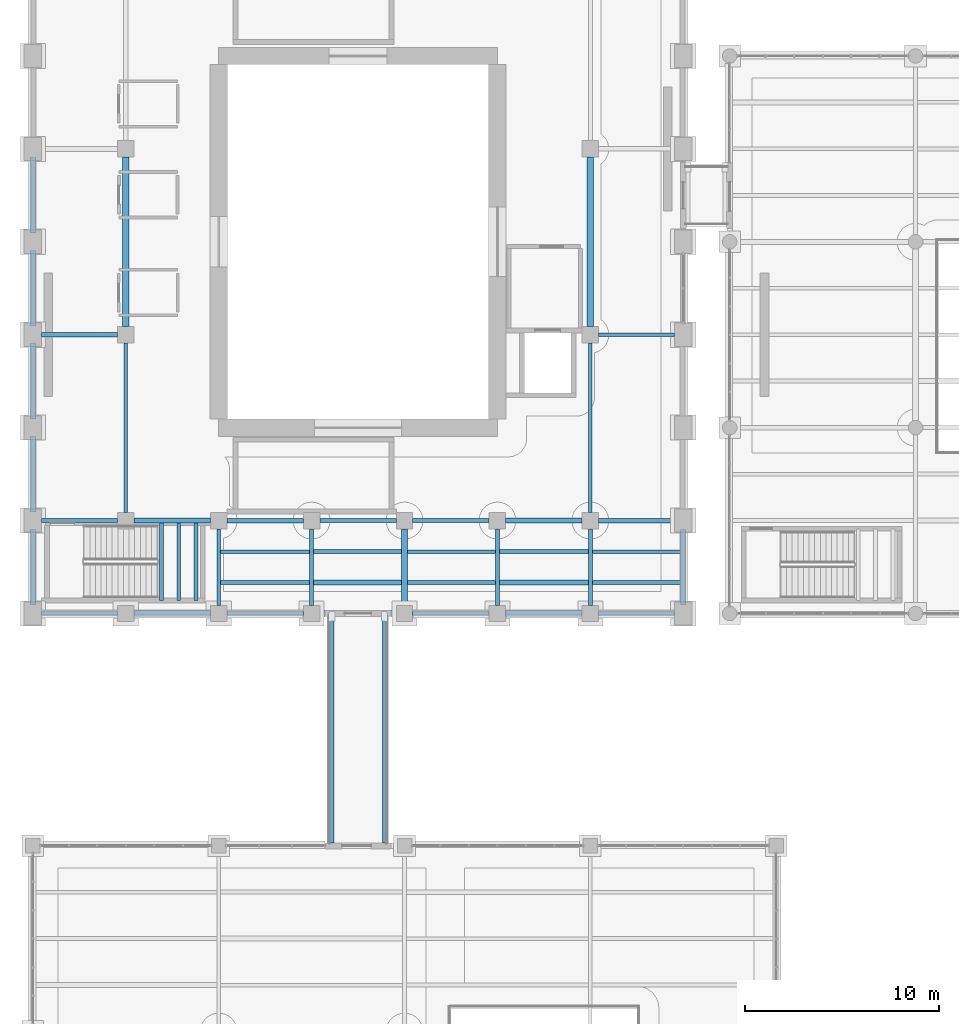
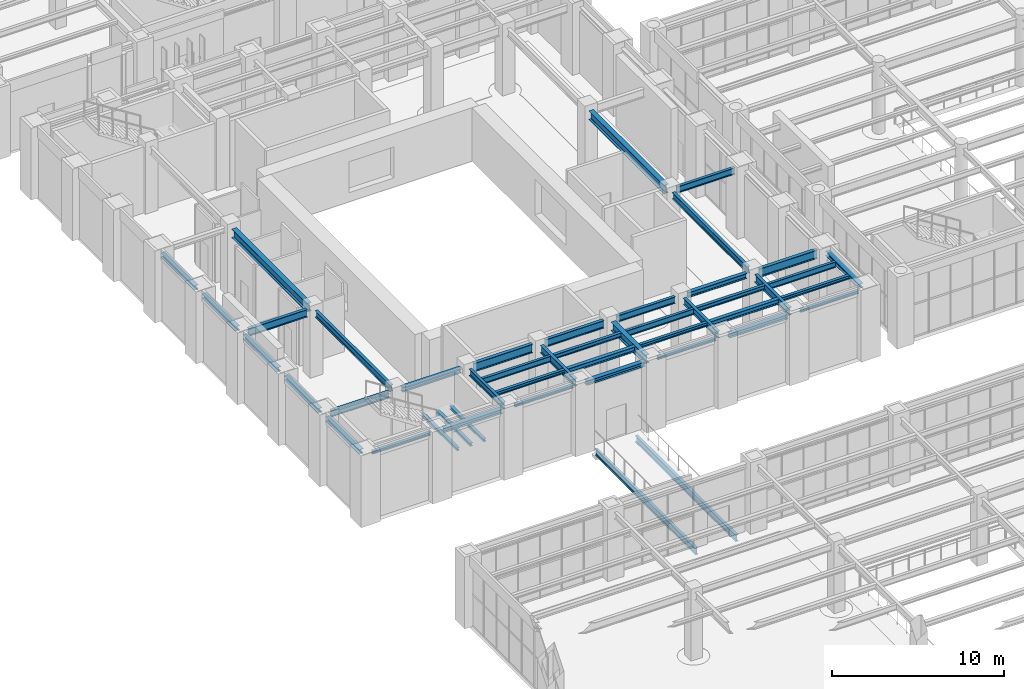
# One storey, part 30 of 174: 46 beams.
"""IFC4 building model written with IfcOpenShell, lengths in metres."""

from ifc_helpers import new_model, si_unit, direction, frame, origin, origin_2d, place, context, subcontext, project, spatial, i_section, extrude, material, material_profile, profile_set, type_object, element, save


model = new_model("IFC4")

# Units and contexts
model_context = context("Model", 3, precision=1e-05, world=origin(), true_north=direction((0.0, 1.0)))
body_context = subcontext(model_context, "Body", "Model", "MODEL_VIEW")
ifc_project = project(units=[si_unit("LENGTHUNIT", "METRE"), si_unit("AREAUNIT", "SQUARE_METRE"), si_unit("VOLUMEUNIT", "CUBIC_METRE"), si_unit("PLANEANGLEUNIT", "RADIAN"), si_unit("MASSUNIT", "GRAM", prefix="KILO")], contexts=[model_context])

# Site, building, storey
site_placement = place(None, origin())
site = spatial("IfcSite", under=ifc_project, at=site_placement, CompositionType="ELEMENT")
building_placement = place(site_placement, origin())
building = spatial("IfcBuilding", under=site, at=building_placement, Name="Mavantir Sound Aquarium", CompositionType="ELEMENT")
storey_placement = place(building_placement, frame((0.0, 0.0, 5.39990234375)))
storey = spatial("IfcBuildingStorey", under=building, at=storey_placement, Name="L01", CompositionType="ELEMENT", Elevation=5.39990234375)

# Beams
ifc_material = material(Name="Structural Steel ASTM A992 Gr50", Category="steel")
ifc_material_profile_1 = material_profile(ifc_material, i_section(OverallWidth=0.202880859375, OverallDepth=0.202880859375, WebThickness=0.007080078125, FlangeThickness=0.010986328125, FilletRadius=0.010009765625, at=origin_2d()), Name="W200X46")
ifc_profile_set_1 = profile_set([ifc_material_profile_1], Name="Structural Steel ASTM A992 Gr50")
beam_type_1 = type_object("IfcBeamType", Name="BM-W200X46-E", PredefinedType="LINTEL", material=ifc_profile_set_1)
beam_1_placement = place(storey_placement, frame((0.449951171875, 40.800048828125, 4.594482421875), z_axis=(1.0, 0.0, 0.0), x_axis=(0.0, 1.0, 0.0)))
element("IfcBeam", 1, at=beam_1_placement, inside=storey, type_object=beam_type_1, Name="L01 primary beam SL-20 1120", PredefinedType="LINTEL", context=body_context, shape_type="SweptSolid", body=[
    extrude(i_section(OverallWidth=0.202880859375, OverallDepth=0.202880859375, WebThickness=0.007080078125, FlangeThickness=0.010986328125, FilletRadius=0.010009765625, at=origin_2d()), origin(), (0.0, 0.0, 1.0), 3.925048828125),
])
beam_2_placement = place(storey_placement, frame((10.02490234375, 40.800048828125, 4.594482421875), z_axis=(1.0, 0.0, 0.0), x_axis=(0.0, 1.0, 0.0)))
element("IfcBeam", 2, at=beam_2_placement, inside=storey, type_object=beam_type_1, Name="L01 primary beam SL-20 1122", PredefinedType="LINTEL", context=body_context, shape_type="SweptSolid", body=[
    extrude(i_section(OverallWidth=0.202880859375, OverallDepth=0.202880859375, WebThickness=0.007080078125, FlangeThickness=0.010986328125, FilletRadius=0.010009765625, at=origin_2d()), origin(), (0.0, 0.0, 1.0), 3.9501953125),
])
beam_3_placement = place(storey_placement, frame((19.625, 40.800048828125, 4.594482421875), z_axis=(1.0, 0.0, 0.0), x_axis=(0.0, 1.0, 0.0)))
element("IfcBeam", 3, at=beam_3_placement, inside=storey, type_object=beam_type_1, Name="L01 primary beam SL-20 1124", PredefinedType="LINTEL", context=body_context, shape_type="SweptSolid", body=[
    extrude(i_section(OverallWidth=0.202880859375, OverallDepth=0.202880859375, WebThickness=0.007080078125, FlangeThickness=0.010986328125, FilletRadius=0.010009765625, at=origin_2d()), origin(), (0.0, 0.0, 1.0), 3.949951171875),
])
beam_4_placement = place(storey_placement, frame((29.22509765625, 40.800048828125, 4.594482421875), z_axis=(1.0, 0.0, 0.0), x_axis=(0.0, 1.0, 0.0)))
element("IfcBeam", 4, at=beam_4_placement, inside=storey, type_object=beam_type_1, Name="L01 primary beam SL-20 1126", PredefinedType="LINTEL", context=body_context, shape_type="SweptSolid", body=[
    extrude(i_section(OverallWidth=0.202880859375, OverallDepth=0.202880859375, WebThickness=0.007080078125, FlangeThickness=0.010986328125, FilletRadius=0.010009765625, at=origin_2d()), origin(), (0.0, 0.0, 1.0), 3.9248046875),
])
ifc_material_profile_2 = material_profile(ifc_material, i_section(OverallWidth=0.202880859375, OverallDepth=0.202880859375, WebThickness=0.007080078125, FlangeThickness=0.010986328125, FilletRadius=0.010009765625, at=origin_2d()), Name="W200X46")
ifc_profile_set_2 = profile_set([ifc_material_profile_2], Name="Structural Steel ASTM A992 Gr50")
beam_type_2 = type_object("IfcBeamType", Name="BM-W200X46-I", PredefinedType="LINTEL", material=ifc_profile_set_2)
for number, where, z_axis, x_axis, name in (
    (5, (6.639892578125, 41.47509765625, 2.24560546875), (0.0, 1.0, 0.0), (-1.0, 0.0, 0.0), "Stair ST1 landing support beam 10"),
    (6, (7.534912109375, 41.47509765625, 2.24560546875), (0.0, 1.0, 0.0), (-1.0, 0.0, 0.0), "Stair ST1 landing support beam 11"),
    (7, (8.429931640625, 41.47509765625, 2.24560546875), (0.0, 1.0, 0.0), (-1.0, 0.0, 0.0), "Stair ST1 landing support beam 12"),
):
    element("IfcBeam", number, at=place(storey_placement, frame(where, z_axis=z_axis, x_axis=x_axis)), inside=storey, type_object=beam_type_2, Name=name, PredefinedType="LINTEL", context=body_context, shape_type="SweptSolid", body=[
        extrude(i_section(OverallWidth=0.202880859375, OverallDepth=0.202880859375, WebThickness=0.007080078125, FlangeThickness=0.010986328125, FilletRadius=0.010009765625, at=origin_2d()), origin(), (0.0, 0.0, 1.0), 4.0),
    ])
ifc_material_profile_3 = material_profile(ifc_material, i_section(OverallWidth=0.202880859375, OverallDepth=0.251953125, WebThickness=0.008056640625, FlangeThickness=0.013427734375, FilletRadius=0.011962890625, at=origin_2d()), Name="W250X58")
ifc_profile_set_3 = profile_set([ifc_material_profile_3], Name="Structural Steel ASTM A992 Gr50")
beam_type_3 = type_object("IfcBeamType", Name="BM-W250X58-I", PredefinedType="JOIST", material=ifc_profile_set_3)
beam_5_placement = place(storey_placement, frame((9.697021484375, 42.39990234375, 4.570068359375), z_axis=(1.0, 0.0, 0.0), x_axis=(0.0, 1.0, 0.0)))
element("IfcBeam", 8, at=beam_5_placement, inside=storey, type_object=beam_type_3, Name="L01 secondary floor joist SJ-25 644", PredefinedType="JOIST", context=body_context, shape_type="SweptSolid", body=[
    extrude(i_section(OverallWidth=0.202880859375, OverallDepth=0.251953125, WebThickness=0.008056640625, FlangeThickness=0.013427734375, FilletRadius=0.011962890625, at=origin_2d()), origin(), (0.0, 0.0, 1.0), 4.596923828125),
])
beam_6_placement = place(storey_placement, frame((19.362060546875, 42.39990234375, 4.570068359375), z_axis=(1.0, 0.0, 0.0), x_axis=(0.0, 1.0, 0.0)))
element("IfcBeam", 9, at=beam_6_placement, inside=storey, type_object=beam_type_3, Name="L01 secondary floor joist SJ-25 648", PredefinedType="JOIST", context=body_context, shape_type="SweptSolid", body=[
    extrude(i_section(OverallWidth=0.202880859375, OverallDepth=0.251953125, WebThickness=0.008056640625, FlangeThickness=0.013427734375, FilletRadius=0.011962890625, at=origin_2d()), origin(), (0.0, 0.0, 1.0), 4.541015625),
])
beam_7_placement = place(storey_placement, frame((28.906005859375, 42.39990234375, 4.570068359375), z_axis=(1.0, 0.0, 0.0), x_axis=(0.0, 1.0, 0.0)))
element("IfcBeam", 10, at=beam_7_placement, inside=storey, type_object=beam_type_3, Name="L01 secondary floor joist SJ-25 652", PredefinedType="JOIST", context=body_context, shape_type="SweptSolid", body=[
    extrude(i_section(OverallWidth=0.202880859375, OverallDepth=0.251953125, WebThickness=0.008056640625, FlangeThickness=0.013427734375, FilletRadius=0.011962890625, at=origin_2d()), origin(), (0.0, 0.0, 1.0), 4.54150390625),
])
ifc_material_profile_4 = material_profile(ifc_material, i_section(OverallWidth=0.205078125, OverallDepth=0.31005859375, WebThickness=0.009521484375, FlangeThickness=0.016357421875, FilletRadius=0.012939453125, at=origin_2d()), Name="W310X74")
ifc_profile_set_4 = profile_set([ifc_material_profile_4], Name="Structural Steel ASTM A992 Gr50")
beam_type_4 = type_object("IfcBeamType", Name="BM-W310X74-I", PredefinedType="JOIST", material=ifc_profile_set_4)
beam_8_placement = place(storey_placement, frame((14.506103515625, 44.0, 4.541015625), z_axis=(1.0, 0.0, 0.0), x_axis=(0.0, 1.0, 0.0)))
element("IfcBeam", 11, at=beam_8_placement, inside=storey, type_object=beam_type_4, Name="L01 secondary floor joist SJ-31 647", PredefinedType="JOIST", context=body_context, shape_type="SweptSolid", body=[
    extrude(i_section(OverallWidth=0.205078125, OverallDepth=0.31005859375, WebThickness=0.009521484375, FlangeThickness=0.016357421875, FilletRadius=0.012939453125, at=origin_2d()), origin(), (0.0, 0.0, 1.0), 4.531982421875),
])
beam_9_placement = place(storey_placement, frame((24.096923828125, 44.0, 4.541015625), z_axis=(1.0, 0.0, 0.0), x_axis=(0.0, 1.0, 0.0)))
element("IfcBeam", 12, at=beam_9_placement, inside=storey, type_object=beam_type_4, Name="L01 secondary floor joist SJ-31 651", PredefinedType="JOIST", context=body_context, shape_type="SweptSolid", body=[
    extrude(i_section(OverallWidth=0.205078125, OverallDepth=0.31005859375, WebThickness=0.009521484375, FlangeThickness=0.016357421875, FilletRadius=0.012939453125, at=origin_2d()), origin(), (0.0, 0.0, 1.0), 4.59716796875),
])
ifc_material_profile_5 = material_profile(ifc_material, i_section(OverallWidth=0.304931640625, OverallDepth=0.30810546875, WebThickness=0.010009765625, FlangeThickness=0.015380859375, FilletRadius=0.014892578125, at=origin_2d()), Name="W310X97")
ifc_profile_set_5 = profile_set([ifc_material_profile_5], Name="Structural Steel ASTM A992 Gr50")
beam_type_5 = type_object("IfcBeamType", Name="BM-W310X97-E", PredefinedType="SPANDREL", material=ifc_profile_set_5)
for number, where, z_axis, x_axis, name in (
    (13, (5.22509765625, 40.800048828125, 4.5419921875), (1.0, 0.0, 0.0), (0.0, 1.0, 0.0), "L01 primary beam SS-31A 1121"),
    (14, (14.824951171875, 40.800048828125, 4.5419921875), (1.0, 0.0, 0.0), (0.0, 1.0, 0.0), "L01 primary beam SS-31A 1123"),
    (15, (24.425048828125, 40.800048828125, 4.5419921875), (1.0, 0.0, 0.0), (0.0, 1.0, 0.0), "L01 primary beam SS-31A 1125"),
):
    element("IfcBeam", number, at=place(storey_placement, frame(where, z_axis=z_axis, x_axis=x_axis)), inside=storey, type_object=beam_type_5, Name=name, PredefinedType="SPANDREL", context=body_context, shape_type="SweptSolid", body=[
        extrude(i_section(OverallWidth=0.304931640625, OverallDepth=0.30810546875, WebThickness=0.010009765625, FlangeThickness=0.015380859375, FilletRadius=0.014892578125, at=origin_2d()), origin(), (0.0, 0.0, 1.0), 3.949951171875),
    ])
for number, where, z_axis, x_axis, name in (
    (16, (0.0, 41.25, 4.5419921875), (0.0, 1.0, 0.0), (-1.0, 0.0, 0.0), "L01 primary girder SS-31A 1150"),
    (17, (0.0, 46.050048828125, 4.5419921875), (0.0, 1.0, 0.0), (-1.0, 0.0, 0.0), "L01 primary girder SS-31A 1151"),
    (18, (0.0, 50.85009765625, 4.5419921875), (0.0, 1.0, 0.0), (-1.0, 0.0, 0.0), "L01 primary girder SS-31A 1152"),
):
    element("IfcBeam", number, at=place(storey_placement, frame(where, z_axis=z_axis, x_axis=x_axis)), inside=storey, type_object=beam_type_5, Name=name, PredefinedType="SPANDREL", context=body_context, shape_type="SweptSolid", body=[
        extrude(i_section(OverallWidth=0.304931640625, OverallDepth=0.30810546875, WebThickness=0.010009765625, FlangeThickness=0.015380859375, FilletRadius=0.014892578125, at=origin_2d()), origin(), (0.0, 0.0, 1.0), 3.89990234375),
    ])
for number, where, z_axis, x_axis, name in (
    (19, (0.0, 55.64990234375, 4.5419921875), (0.0, 1.0, 0.0), (-1.0, 0.0, 0.0), "L01 primary girder SS-31A 1153"),
    (20, (0.0, 60.449951171875, 4.5419921875), (0.0, 1.0, 0.0), (-1.0, 0.0, 0.0), "L01 primary girder SS-31A 1154"),
):
    element("IfcBeam", number, at=place(storey_placement, frame(where, z_axis=z_axis, x_axis=x_axis)), inside=storey, type_object=beam_type_5, Name=name, PredefinedType="SPANDREL", context=body_context, shape_type="SweptSolid", body=[
        extrude(i_section(OverallWidth=0.304931640625, OverallDepth=0.30810546875, WebThickness=0.010009765625, FlangeThickness=0.015380859375, FilletRadius=0.014892578125, at=origin_2d()), origin(), (0.0, 0.0, 1.0), 3.900146484375),
    ])
beam_10_placement = place(storey_placement, frame((33.60009765625, 41.25, 4.5419921875), z_axis=(0.0, 1.0, 0.0), x_axis=(-1.0, 0.0, 0.0)))
element("IfcBeam", 21, at=beam_10_placement, inside=storey, type_object=beam_type_5, Name="L01 primary girder SS-31A 1174", PredefinedType="SPANDREL", context=body_context, shape_type="SweptSolid", body=[
    extrude(i_section(OverallWidth=0.304931640625, OverallDepth=0.30810546875, WebThickness=0.010009765625, FlangeThickness=0.015380859375, FilletRadius=0.014892578125, at=origin_2d()), origin(), (0.0, 0.0, 1.0), 3.89990234375),
])
ifc_material_profile_6 = material_profile(ifc_material, i_section(OverallWidth=0.257080078125, OverallDepth=0.363037109375, WebThickness=0.012939453125, FlangeThickness=0.021728515625, FilletRadius=0.014892578125, at=origin_2d()), Name="W360X122")
ifc_profile_set_6 = profile_set([ifc_material_profile_6], Name="Structural Steel ASTM A992 Gr50")
beam_type_6 = type_object("IfcBeamType", Name="BM-W360X122-I", PredefinedType="BEAM", material=ifc_profile_set_6)
for number, where, z_axis, x_axis, name in (
    (22, (5.22509765625, 45.60009765625, 4.5146484375), (1.0, 0.0, 0.0), (0.0, 1.0, 0.0), "L01 primary beam SB-36A 1128"),
    (23, (24.425048828125, 45.60009765625, 4.5146484375), (1.0, 0.0, 0.0), (0.0, 1.0, 0.0), "L01 primary beam SB-36A 1132"),
):
    element("IfcBeam", number, at=place(storey_placement, frame(where, z_axis=z_axis, x_axis=x_axis)), inside=storey, type_object=beam_type_6, Name=name, PredefinedType="BEAM", context=body_context, shape_type="SweptSolid", body=[
        extrude(i_section(OverallWidth=0.257080078125, OverallDepth=0.363037109375, WebThickness=0.012939453125, FlangeThickness=0.021728515625, FilletRadius=0.014892578125, at=origin_2d()), origin(), (0.0, 0.0, 1.0), 3.949951171875),
    ])
ifc_material_profile_7 = material_profile(ifc_material, i_section(OverallWidth=0.25390625, OverallDepth=0.35302734375, WebThickness=0.009521484375, FlangeThickness=0.016357421875, FilletRadius=0.014892578125, at=origin_2d()), Name="W360X91")
ifc_profile_set_7 = profile_set([ifc_material_profile_7], Name="Structural Steel ASTM A992 Gr50")
beam_type_7 = type_object("IfcBeamType", Name="BM-W360X91-I", PredefinedType="JOIST", material=ifc_profile_set_7)
beam_11_placement = place(storey_placement, frame((14.506103515625, 42.39990234375, 4.51953125), z_axis=(1.0, 0.0, 0.0), x_axis=(0.0, 1.0, 0.0)))
element("IfcBeam", 24, at=beam_11_placement, inside=storey, type_object=beam_type_7, Name="L01 secondary floor joist SJ-36 646", PredefinedType="JOIST", context=body_context, shape_type="SweptSolid", body=[
    extrude(i_section(OverallWidth=0.25390625, OverallDepth=0.35302734375, WebThickness=0.009521484375, FlangeThickness=0.016357421875, FilletRadius=0.014892578125, at=origin_2d()), origin(), (0.0, 0.0, 1.0), 4.531982421875),
])
beam_12_placement = place(storey_placement, frame((24.096923828125, 42.39990234375, 4.51953125), z_axis=(1.0, 0.0, 0.0), x_axis=(0.0, 1.0, 0.0)))
element("IfcBeam", 25, at=beam_12_placement, inside=storey, type_object=beam_type_7, Name="L01 secondary floor joist SJ-36 650", PredefinedType="JOIST", context=body_context, shape_type="SweptSolid", body=[
    extrude(i_section(OverallWidth=0.25390625, OverallDepth=0.35302734375, WebThickness=0.009521484375, FlangeThickness=0.016357421875, FilletRadius=0.014892578125, at=origin_2d()), origin(), (0.0, 0.0, 1.0), 4.59716796875),
])
ifc_material_profile_8 = material_profile(ifc_material, i_section(OverallWidth=0.180908203125, OverallDepth=0.4169921875, WebThickness=0.010986328125, FlangeThickness=0.018310546875, FilletRadius=0.014892578125, at=origin_2d()), Name="W410X85")
ifc_profile_set_8 = profile_set([ifc_material_profile_8], Name="Structural Steel ASTM A992 Gr50")
beam_type_8 = type_object("IfcBeamType", Name="BM-W410X85-I", PredefinedType="JOIST", material=ifc_profile_set_8)
beam_13_placement = place(storey_placement, frame((9.697021484375, 44.0, 4.487548828125), z_axis=(1.0, 0.0, 0.0), x_axis=(0.0, 1.0, 0.0)))
element("IfcBeam", 26, at=beam_13_placement, inside=storey, type_object=beam_type_8, Name="L01 secondary floor joist SJ-41 645", PredefinedType="JOIST", context=body_context, shape_type="SweptSolid", body=[
    extrude(i_section(OverallWidth=0.180908203125, OverallDepth=0.4169921875, WebThickness=0.010986328125, FlangeThickness=0.018310546875, FilletRadius=0.014892578125, at=origin_2d()), origin(), (0.0, 0.0, 1.0), 4.596923828125),
])
beam_14_placement = place(storey_placement, frame((19.362060546875, 44.0, 4.487548828125), z_axis=(1.0, 0.0, 0.0), x_axis=(0.0, 1.0, 0.0)))
element("IfcBeam", 27, at=beam_14_placement, inside=storey, type_object=beam_type_8, Name="L01 secondary floor joist SJ-41 649", PredefinedType="JOIST", context=body_context, shape_type="SweptSolid", body=[
    extrude(i_section(OverallWidth=0.180908203125, OverallDepth=0.4169921875, WebThickness=0.010986328125, FlangeThickness=0.018310546875, FilletRadius=0.014892578125, at=origin_2d()), origin(), (0.0, 0.0, 1.0), 4.541015625),
])
beam_15_placement = place(storey_placement, frame((28.906005859375, 44.0, 4.487548828125), z_axis=(1.0, 0.0, 0.0), x_axis=(0.0, 1.0, 0.0)))
element("IfcBeam", 28, at=beam_15_placement, inside=storey, type_object=beam_type_8, Name="L01 secondary floor joist SJ-41 653", PredefinedType="JOIST", context=body_context, shape_type="SweptSolid", body=[
    extrude(i_section(OverallWidth=0.180908203125, OverallDepth=0.4169921875, WebThickness=0.010986328125, FlangeThickness=0.018310546875, FilletRadius=0.014892578125, at=origin_2d()), origin(), (0.0, 0.0, 1.0), 4.54150390625),
])
ifc_material_profile_9 = material_profile(ifc_material, i_section(OverallWidth=0.194091796875, OverallDepth=0.468994140625, WebThickness=0.0126953125, FlangeThickness=0.0205078125, FilletRadius=0.01611328125, at=origin_2d()), Name="W460X106")
ifc_profile_set_9 = profile_set([ifc_material_profile_9], Name="Structural Steel ASTM A992 Gr50")
beam_type_9 = type_object("IfcBeamType", Name="BM-W460X106-E", PredefinedType="BEAM", material=ifc_profile_set_9)
for number, where, z_axis, x_axis, name in (
    (29, (15.449951171875, 28.949951171875, -0.514404296875), (0.0, 1.0, 0.0), (-1.0, 0.0, 0.0), "Slide-bearing link bridge girder 2.1"),
    (30, (18.14990234375, 28.949951171875, -0.514404296875), (0.0, 1.0, 0.0), (-1.0, 0.0, 0.0), "Slide-bearing link bridge girder 2.2"),
):
    element("IfcBeam", number, at=place(storey_placement, frame(where, z_axis=z_axis, x_axis=x_axis)), inside=storey, type_object=beam_type_9, Name=name, PredefinedType="BEAM", context=body_context, shape_type="SweptSolid", body=[
        extrude(i_section(OverallWidth=0.194091796875, OverallDepth=0.468994140625, WebThickness=0.0126953125, FlangeThickness=0.0205078125, FilletRadius=0.01611328125, at=origin_2d()), origin(), (0.0, 0.0, 1.0), 11.699951171875),
    ])
ifc_material_profile_10 = material_profile(ifc_material, i_section(OverallWidth=0.194091796875, OverallDepth=0.468994140625, WebThickness=0.0126953125, FlangeThickness=0.0205078125, FilletRadius=0.01611328125, at=origin_2d()), Name="W460X106")
ifc_profile_set_10 = profile_set([ifc_material_profile_10], Name="Structural Steel ASTM A992 Gr50")
beam_type_10 = type_object("IfcBeamType", Name="BM-W460X106-I", PredefinedType="BEAM", material=ifc_profile_set_10)
beam_16_placement = place(storey_placement, frame((0.449951171875, 45.60009765625, 4.461669921875), z_axis=(1.0, 0.0, 0.0), x_axis=(0.0, 1.0, 0.0)))
element("IfcBeam", 31, at=beam_16_placement, inside=storey, type_object=beam_type_10, Name="L01 primary beam SB-46 1127", PredefinedType="BEAM", context=body_context, shape_type="SweptSolid", body=[
    extrude(i_section(OverallWidth=0.194091796875, OverallDepth=0.468994140625, WebThickness=0.0126953125, FlangeThickness=0.0205078125, FilletRadius=0.01611328125, at=origin_2d()), origin(), (0.0, 0.0, 1.0), 3.925048828125),
])
beam_17_placement = place(storey_placement, frame((19.625, 45.60009765625, 4.461669921875), z_axis=(1.0, 0.0, 0.0), x_axis=(0.0, 1.0, 0.0)))
element("IfcBeam", 32, at=beam_17_placement, inside=storey, type_object=beam_type_10, Name="L01 primary beam SB-46 1131", PredefinedType="BEAM", context=body_context, shape_type="SweptSolid", body=[
    extrude(i_section(OverallWidth=0.194091796875, OverallDepth=0.468994140625, WebThickness=0.0126953125, FlangeThickness=0.0205078125, FilletRadius=0.01611328125, at=origin_2d()), origin(), (0.0, 0.0, 1.0), 3.949951171875),
])
beam_18_placement = place(storey_placement, frame((29.22509765625, 55.199951171875, 4.461669921875), z_axis=(1.0, 0.0, 0.0), x_axis=(0.0, 1.0, 0.0)))
element("IfcBeam", 33, at=beam_18_placement, inside=storey, type_object=beam_type_10, Name="L01 primary beam SB-46 1135", PredefinedType="BEAM", context=body_context, shape_type="SweptSolid", body=[
    extrude(i_section(OverallWidth=0.194091796875, OverallDepth=0.468994140625, WebThickness=0.0126953125, FlangeThickness=0.0205078125, FilletRadius=0.01611328125, at=origin_2d()), origin(), (0.0, 0.0, 1.0), 3.9248046875),
])
beam_19_placement = place(storey_placement, frame((4.800048828125, 46.02490234375, 4.461669921875), z_axis=(0.0, 1.0, 0.0), x_axis=(-1.0, 0.0, 0.0)))
element("IfcBeam", 34, at=beam_19_placement, inside=storey, type_object=beam_type_10, Name="L01 primary girder SB-46 1158", PredefinedType="BEAM", context=body_context, shape_type="SweptSolid", body=[
    extrude(i_section(OverallWidth=0.194091796875, OverallDepth=0.468994140625, WebThickness=0.0126953125, FlangeThickness=0.0205078125, FilletRadius=0.01611328125, at=origin_2d()), origin(), (0.0, 0.0, 1.0), 8.75),
])
for number, where, z_axis, x_axis, name in (
    (35, (9.60009765625, 41.22509765625, 4.461669921875), (0.0, 1.0, 0.0), (-1.0, 0.0, 0.0), "L01 primary girder SB-46 1161"),
    (36, (24.0, 41.22509765625, 4.461669921875), (0.0, 1.0, 0.0), (-1.0, 0.0, 0.0), "L01 primary girder SB-46 1167"),
):
    element("IfcBeam", number, at=place(storey_placement, frame(where, z_axis=z_axis, x_axis=x_axis)), inside=storey, type_object=beam_type_10, Name=name, PredefinedType="BEAM", context=body_context, shape_type="SweptSolid", body=[
        extrude(i_section(OverallWidth=0.194091796875, OverallDepth=0.468994140625, WebThickness=0.0126953125, FlangeThickness=0.0205078125, FilletRadius=0.01611328125, at=origin_2d()), origin(), (0.0, 0.0, 1.0), 3.949951171875),
    ])
beam_20_placement = place(storey_placement, frame((28.800048828125, 46.02490234375, 4.461669921875), z_axis=(0.0, 1.0, 0.0), x_axis=(-1.0, 0.0, 0.0)))
element("IfcBeam", 37, at=beam_20_placement, inside=storey, type_object=beam_type_10, Name="L01 primary girder SB-46 1170", PredefinedType="BEAM", context=body_context, shape_type="SweptSolid", body=[
    extrude(i_section(OverallWidth=0.194091796875, OverallDepth=0.468994140625, WebThickness=0.0126953125, FlangeThickness=0.0205078125, FilletRadius=0.01611328125, at=origin_2d()), origin(), (0.0, 0.0, 1.0), 8.75),
])
ifc_material_profile_11 = material_profile(ifc_material, i_section(OverallWidth=0.2119140625, OverallDepth=0.5439453125, WebThickness=0.01318359375, FlangeThickness=0.021240234375, FilletRadius=0.01806640625, at=origin_2d()), Name="W530X123")
ifc_profile_set_11 = profile_set([ifc_material_profile_11], Name="Structural Steel ASTM A992 Gr50")
beam_type_11 = type_object("IfcBeamType", Name="BM-W530X123-I", PredefinedType="BEAM", material=ifc_profile_set_11)
beam_21_placement = place(storey_placement, frame((14.824951171875, 45.60009765625, 4.424072265625), z_axis=(1.0, 0.0, 0.0), x_axis=(0.0, 1.0, 0.0)))
element("IfcBeam", 38, at=beam_21_placement, inside=storey, type_object=beam_type_11, Name="L01 primary beam SB-53 1130", PredefinedType="BEAM", context=body_context, shape_type="SweptSolid", body=[
    extrude(i_section(OverallWidth=0.2119140625, OverallDepth=0.5439453125, WebThickness=0.01318359375, FlangeThickness=0.021240234375, FilletRadius=0.01806640625, at=origin_2d()), origin(), (0.0, 0.0, 1.0), 3.949951171875),
])
beam_22_placement = place(storey_placement, frame((0.449951171875, 55.199951171875, 4.424072265625), z_axis=(1.0, 0.0, 0.0), x_axis=(0.0, 1.0, 0.0)))
element("IfcBeam", 39, at=beam_22_placement, inside=storey, type_object=beam_type_11, Name="L01 primary beam SB-53 1134", PredefinedType="BEAM", context=body_context, shape_type="SweptSolid", body=[
    extrude(i_section(OverallWidth=0.2119140625, OverallDepth=0.5439453125, WebThickness=0.01318359375, FlangeThickness=0.021240234375, FilletRadius=0.01806640625, at=origin_2d()), origin(), (0.0, 0.0, 1.0), 3.925048828125),
])
for number, where, z_axis, x_axis, name in (
    (40, (14.39990234375, 41.22509765625, 4.424072265625), (0.0, 1.0, 0.0), (-1.0, 0.0, 0.0), "L01 primary girder SB-53 1163"),
    (41, (28.800048828125, 41.22509765625, 4.424072265625), (0.0, 1.0, 0.0), (-1.0, 0.0, 0.0), "L01 primary girder SB-53 1169"),
):
    element("IfcBeam", number, at=place(storey_placement, frame(where, z_axis=z_axis, x_axis=x_axis)), inside=storey, type_object=beam_type_11, Name=name, PredefinedType="BEAM", context=body_context, shape_type="SweptSolid", body=[
        extrude(i_section(OverallWidth=0.2119140625, OverallDepth=0.5439453125, WebThickness=0.01318359375, FlangeThickness=0.021240234375, FilletRadius=0.01806640625, at=origin_2d()), origin(), (0.0, 0.0, 1.0), 3.949951171875),
    ])
ifc_material_profile_12 = material_profile(ifc_material, i_section(OverallWidth=0.22900390625, OverallDepth=0.612060546875, WebThickness=0.011962890625, FlangeThickness=0.01953125, FilletRadius=0.01904296875, at=origin_2d()), Name="W610X125")
ifc_profile_set_12 = profile_set([ifc_material_profile_12], Name="Structural Steel ASTM A992 Gr50")
beam_type_12 = type_object("IfcBeamType", Name="BM-W610X125-I", PredefinedType="BEAM", material=ifc_profile_set_12)
beam_23_placement = place(storey_placement, frame((10.02490234375, 45.60009765625, 4.39013671875), z_axis=(1.0, 0.0, 0.0), x_axis=(0.0, 1.0, 0.0)))
element("IfcBeam", 42, at=beam_23_placement, inside=storey, type_object=beam_type_12, Name="L01 primary beam SB-61B 1129", PredefinedType="BEAM", context=body_context, shape_type="SweptSolid", body=[
    extrude(i_section(OverallWidth=0.22900390625, OverallDepth=0.612060546875, WebThickness=0.011962890625, FlangeThickness=0.01953125, FilletRadius=0.01904296875, at=origin_2d()), origin(), (0.0, 0.0, 1.0), 3.9501953125),
])
beam_24_placement = place(storey_placement, frame((29.22509765625, 45.60009765625, 4.39013671875), z_axis=(1.0, 0.0, 0.0), x_axis=(0.0, 1.0, 0.0)))
element("IfcBeam", 43, at=beam_24_placement, inside=storey, type_object=beam_type_12, Name="L01 primary beam SB-61B 1133", PredefinedType="BEAM", context=body_context, shape_type="SweptSolid", body=[
    extrude(i_section(OverallWidth=0.22900390625, OverallDepth=0.612060546875, WebThickness=0.011962890625, FlangeThickness=0.01953125, FilletRadius=0.01904296875, at=origin_2d()), origin(), (0.0, 0.0, 1.0), 3.9248046875),
])
ifc_material_profile_13 = material_profile(ifc_material, i_section(OverallWidth=0.323974609375, OverallDepth=0.611083984375, WebThickness=0.0126953125, FlangeThickness=0.01904296875, FilletRadius=0.01904296875, at=origin_2d()), Name="W610X155")
ifc_profile_set_13 = profile_set([ifc_material_profile_13], Name="Structural Steel ASTM A992 Gr50")
beam_type_13 = type_object("IfcBeamType", Name="BM-W610X155-I", PredefinedType="BEAM", material=ifc_profile_set_13)
beam_25_placement = place(storey_placement, frame((4.800048828125, 55.625, 4.390625), z_axis=(0.0, 1.0, 0.0), x_axis=(-1.0, 0.0, 0.0)))
element("IfcBeam", 44, at=beam_25_placement, inside=storey, type_object=beam_type_13, Name="L01 primary girder SB-61A 1159", PredefinedType="BEAM", context=body_context, shape_type="SweptSolid", body=[
    extrude(i_section(OverallWidth=0.323974609375, OverallDepth=0.611083984375, WebThickness=0.0126953125, FlangeThickness=0.01904296875, FilletRadius=0.01904296875, at=origin_2d()), origin(), (0.0, 0.0, 1.0), 8.75),
])
beam_26_placement = place(storey_placement, frame((19.199951171875, 41.22509765625, 4.390625), z_axis=(0.0, 1.0, 0.0), x_axis=(-1.0, 0.0, 0.0)))
element("IfcBeam", 45, at=beam_26_placement, inside=storey, type_object=beam_type_13, Name="L01 primary girder SB-61A 1165", PredefinedType="BEAM", context=body_context, shape_type="SweptSolid", body=[
    extrude(i_section(OverallWidth=0.323974609375, OverallDepth=0.611083984375, WebThickness=0.0126953125, FlangeThickness=0.01904296875, FilletRadius=0.01904296875, at=origin_2d()), origin(), (0.0, 0.0, 1.0), 3.949951171875),
])
beam_27_placement = place(storey_placement, frame((28.800048828125, 55.625, 4.390625), z_axis=(0.0, 1.0, 0.0), x_axis=(-1.0, 0.0, 0.0)))
element("IfcBeam", 46, at=beam_27_placement, inside=storey, type_object=beam_type_13, Name="L01 primary girder SB-61A 1171", PredefinedType="BEAM", context=body_context, shape_type="SweptSolid", body=[
    extrude(i_section(OverallWidth=0.323974609375, OverallDepth=0.611083984375, WebThickness=0.0126953125, FlangeThickness=0.01904296875, FilletRadius=0.01904296875, at=origin_2d()), origin(), (0.0, 0.0, 1.0), 8.75),
])

save(model, "model.ifc")
